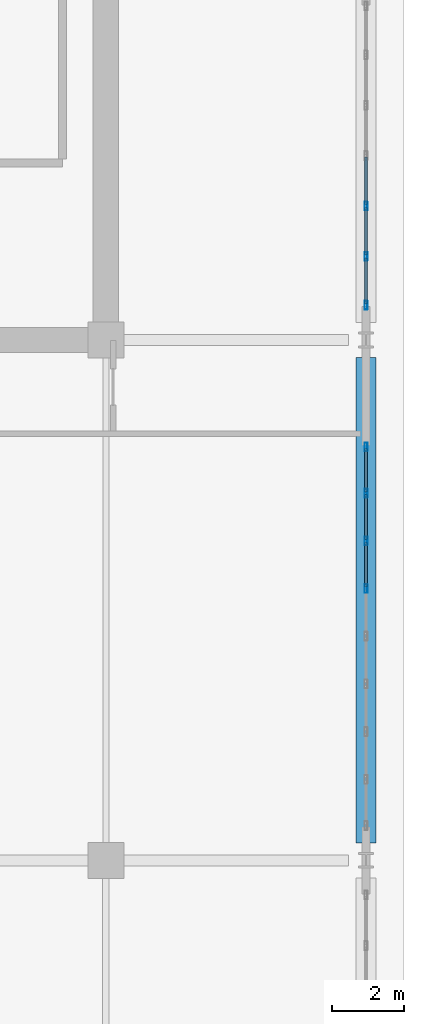
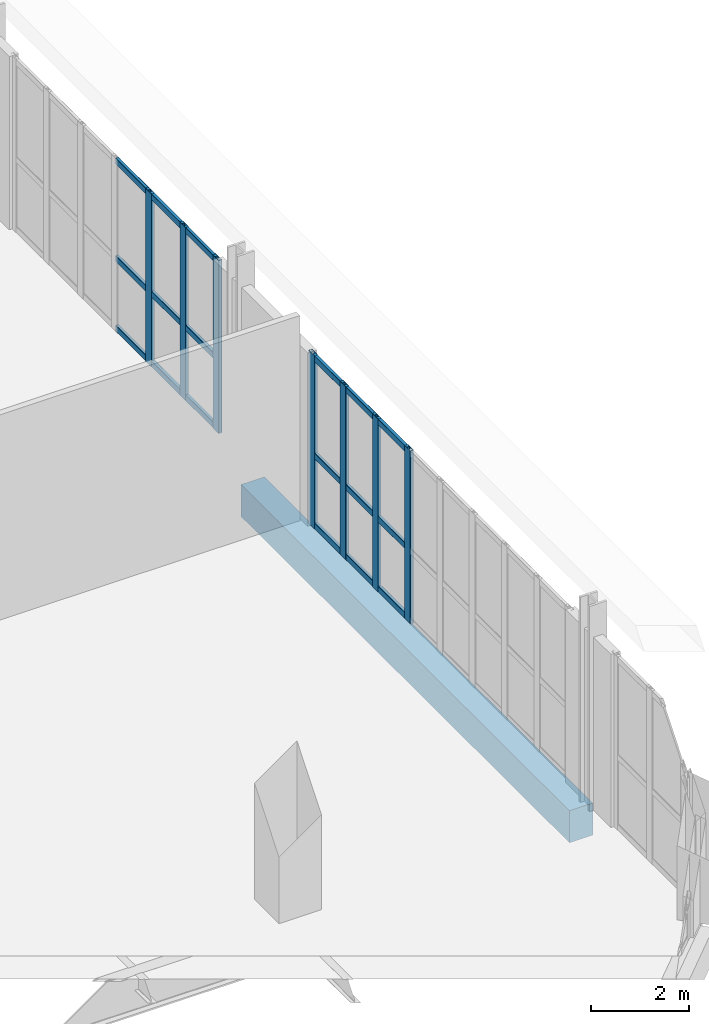
# One storey, part 15 of 26: 25 members, 1 beam, 2 elements without a shape of their own.
"""IFC4 building model written with IfcOpenShell, lengths in metres."""

import ifcopenshell
import ifcopenshell.guid

model = None  # the IFC model being written
_history = None  # IfcOwnerHistory: only IFC2X3 demands one
_inside = {}  # id of a spatial element -> (the spatial element, [elements in it])
_under = {}  # id of a project, library or spatial element -> (it, [spatial elements below it])
_declared = {}  # id of a project -> (the project, [libraries it declares])
_typed = {}  # id of a type object -> (the type object, [elements of that type])
_made_of = {}  # id of a material, layer set ... -> (it, [elements and type objects made of it])


def new_model(schema):
    """Start an empty IFC model of exactly this schema.

    Asked for "IFC4X3", IfcOpenShell would pick the latest addendum, in which some entities
    have other attributes; the version numbers below select the first issue.
    IFC2X3 requires an IfcOwnerHistory on every rooted entity: one is made here for all.
    """
    global model, _history
    if schema == "IFC4X3":
        model = ifcopenshell.file(schema_version=(4, 3, 0, 0))
    else:
        model = ifcopenshell.file(schema=schema)
    _inside.clear()
    _under.clear()
    _declared.clear()
    _typed.clear()
    _made_of.clear()
    _history = None
    if model.schema == "IFC2X3":
        org = make("IfcOrganization", Name="unknown")
        user = make(
            "IfcPersonAndOrganization",
            ThePerson=make("IfcPerson", FamilyName="unknown"),
            TheOrganization=org,
        )
        app = make(
            "IfcApplication",
            ApplicationDeveloper=org,
            Version="unknown",
            ApplicationFullName="unknown",
            ApplicationIdentifier="unknown",
        )
        _history = make(
            "IfcOwnerHistory",
            OwningUser=user,
            OwningApplication=app,
            ChangeAction="ADDED",
            CreationDate=0,
        )
    return model


def make(cls, **values):
    """One entity of the class cls with the attributes given. An attribute that is None is left unset."""
    return model.create_entity(
        cls, **{name: value for name, value in values.items() if value is not None}
    )


def rooted(cls, **values):
    """An entity with a GlobalId (a new one), such as an element, a storey or a relation."""
    return make(cls, GlobalId=ifcopenshell.guid.new(), OwnerHistory=_history, **values)


def si_unit(unit_type, name, prefix=None):
    """IfcSIUnit, for example si_unit("LENGTHUNIT", "METRE", prefix="MILLI")."""
    return make("IfcSIUnit", UnitType=unit_type, Prefix=prefix, Name=name)


def assignment(units):
    """IfcUnitAssignment: the units of a project."""
    return None if units is None else make("IfcUnitAssignment", Units=units)


def point(xyz):
    """IfcCartesianPoint."""
    return None if xyz is None else make("IfcCartesianPoint", Coordinates=xyz)


def direction(xyz):
    """IfcDirection."""
    return None if xyz is None else make("IfcDirection", DirectionRatios=xyz)


def frame(location, z_axis=None, x_axis=None):
    """IfcAxis2Placement3D, a coordinate frame: its origin and axes. An axis left out is left unset."""
    return make(
        "IfcAxis2Placement3D",
        Location=point(location),
        Axis=direction(z_axis),
        RefDirection=direction(x_axis),
    )


def frame_2d(location, x_axis=None):
    """IfcAxis2Placement2D, a coordinate frame in the plane: its origin and x axis."""
    return make(
        "IfcAxis2Placement2D", Location=point(location), RefDirection=direction(x_axis)
    )


def origin():
    """The frame at (0, 0, 0) with its axes left unset."""
    return frame((0.0, 0.0, 0.0))


def origin_2d():
    """The frame at (0, 0) in the plane with its x axis left unset."""
    return frame_2d((0.0, 0.0))


def place(relative_to, where):
    """IfcLocalPlacement: puts the frame where relative to a parent placement (None: the world)."""
    return make(
        "IfcLocalPlacement", PlacementRelTo=relative_to, RelativePlacement=where
    )


def context(
    kind, dimensions, precision=None, world=None, true_north=None, identifier=None
):
    """IfcGeometricRepresentationContext, for example the 3D "Model" context."""
    return make(
        "IfcGeometricRepresentationContext",
        ContextIdentifier=identifier,
        ContextType=kind,
        CoordinateSpaceDimension=dimensions,
        Precision=precision,
        WorldCoordinateSystem=world,
        TrueNorth=true_north,
    )


def subcontext(parent, identifier, kind, view, scale=None):
    """IfcGeometricRepresentationSubContext, for example "Body" below "Model"."""
    return make(
        "IfcGeometricRepresentationSubContext",
        ContextIdentifier=identifier,
        ContextType=kind,
        ParentContext=parent,
        TargetScale=scale,
        TargetView=view,
    )


def project(units=None, contexts=None):
    """IfcProject with its units and contexts."""
    return rooted(
        "IfcProject",
        Name="project",
        RepresentationContexts=contexts,
        UnitsInContext=assignment(units),
    )


def spatial(cls, under=None, at=None, **own):
    """A site, building, storey or space (cls), placed at a placement, below another one or the project."""
    s = rooted(cls, ObjectPlacement=at, **own)
    if under is not None:
        _under.setdefault(under.id(), (under, []))[1].append(s)
    return s


def profile(cls, at=None, kind="AREA", **sizes):
    """A parametric profile (cls). Its sizes go by their IFC names, for example OverallWidth=200.0."""
    return make(cls, ProfileType=kind, Position=at, **sizes)


def rectangle(**sizes):
    """IfcRectangleProfileDef."""
    return profile("IfcRectangleProfileDef", **sizes)


def hollow_rectangle(**sizes):
    """IfcRectangleHollowProfileDef."""
    return profile("IfcRectangleHollowProfileDef", **sizes)


def extrude(swept, where, along, depth):
    """IfcExtrudedAreaSolid: the profile swept, set in the frame where, extruded along a direction by depth."""
    return make(
        "IfcExtrudedAreaSolid",
        SweptArea=swept,
        Position=where,
        ExtrudedDirection=direction(along),
        Depth=depth,
    )


def shape(context_of_items, identifier, shape_type, items):
    """IfcShapeRepresentation: the items that make up one representation, for example the "Body"."""
    return make(
        "IfcShapeRepresentation",
        ContextOfItems=context_of_items,
        RepresentationIdentifier=identifier,
        RepresentationType=shape_type,
        Items=items,
    )


def material(Name=None, Category=None):
    """IfcMaterial."""
    return make("IfcMaterial", Name=Name, Category=Category)


def layer(
    of_material, thickness, ventilated=None, Name=None, Category=None, Priority=None
):
    """IfcMaterialLayer: one layer of a wall or slab, of a material (None: an air gap)."""
    return make(
        "IfcMaterialLayer",
        Material=of_material,
        LayerThickness=thickness,
        IsVentilated=ventilated,
        Name=Name,
        Category=Category,
        Priority=Priority,
    )


def layer_set(layers, Name=None):
    """IfcMaterialLayerSet."""
    return make("IfcMaterialLayerSet", MaterialLayers=layers, LayerSetName=Name)


def material_profile(
    of_material, cross_section, Name=None, Category=None, Priority=None
):
    """IfcMaterialProfile: a cross section and its material."""
    return make(
        "IfcMaterialProfile",
        Name=Name,
        Material=of_material,
        Profile=cross_section,
        Priority=Priority,
        Category=Category,
    )


def profile_set(profiles, Name=None, composite=None):
    """IfcMaterialProfileSet."""
    return make(
        "IfcMaterialProfileSet",
        Name=Name,
        MaterialProfiles=profiles,
        CompositeProfile=composite,
    )


def made_of(thing, what):
    """Note that an element or type object is made of a material, layer set ...; save() writes the relation."""
    if what is not None:
        _made_of.setdefault(what.id(), (what, []))[1].append(thing)
    return thing


def type_object(cls, material=None, **own):
    """A type object (cls), such as IfcWallType, which elements share."""
    return made_of(rooted(cls, **own), material)


def element(
    cls,
    number,
    at=None,
    inside=None,
    cuts=None,
    type_object=None,
    material=None,
    context=None,
    identifier="Body",
    shape_type=None,
    held_by="IfcProductDefinitionShape",
    body=None,
    shapes=None,
    **own,
):
    """One element of the class cls, such as IfcWall. Its Tag is "e" and its number.

    at: its placement. inside: the storey or other place that contains it. cuts: it is an
    opening in that element (IfcRelVoidsElement). A single representation is given by context,
    identifier, shape_type and body (its items); several are given by shapes. held_by: the class
    of the entity that holds the representations. save() writes the other relations.
    """
    e = rooted(cls, Tag="e%d" % number, ObjectPlacement=at, **own)
    if body is not None:
        shapes = [shape(context, identifier, shape_type, body)]
    if shapes is not None:
        e.Representation = make(held_by, Representations=shapes)
    if inside is not None:
        _inside.setdefault(inside.id(), (inside, []))[1].append(e)
    if cuts is not None:
        rooted(
            "IfcRelVoidsElement", RelatingBuildingElement=cuts, RelatedOpeningElement=e
        )
    if type_object is not None:
        _typed.setdefault(type_object.id(), (type_object, []))[1].append(e)
    return made_of(e, material)


def aggregate(whole, parts):
    """IfcRelAggregates: a whole, such as a stair, and the parts it consists of."""
    return rooted("IfcRelAggregates", RelatingObject=whole, RelatedObjects=parts)


def save(model, path):
    """Write the relations noted so far, then the file.

    IfcRelAggregates (storeys below a building ...), IfcRelContainedInSpatialStructure (elements
    in a storey), IfcRelDefinesByType, IfcRelAssociatesMaterial and IfcRelDeclares: one each for
    every whole, place, type object, material and project.
    """
    for whole, parts in _under.values():
        aggregate(whole, parts)
    for where, things in _inside.values():
        rooted(
            "IfcRelContainedInSpatialStructure",
            RelatedElements=things,
            RelatingStructure=where,
        )
    for kind, things in _typed.values():
        rooted("IfcRelDefinesByType", RelatedObjects=things, RelatingType=kind)
    for what, things in _made_of.values():
        rooted("IfcRelAssociatesMaterial", RelatedObjects=things, RelatingMaterial=what)
    for by, libraries in _declared.values():
        rooted("IfcRelDeclares", RelatingContext=by, RelatedDefinitions=libraries)
    model.write(path)


model = new_model("IFC4")

# Units and contexts
model_context = context("Model", 3, precision=1e-05, world=origin(), true_north=direction((0.0, 1.0)))
body_context = subcontext(model_context, "Body", "Model", "MODEL_VIEW")
ifc_project = project(units=[si_unit("LENGTHUNIT", "METRE"), si_unit("AREAUNIT", "SQUARE_METRE"), si_unit("VOLUMEUNIT", "CUBIC_METRE"), si_unit("PLANEANGLEUNIT", "RADIAN"), si_unit("MASSUNIT", "GRAM", prefix="KILO")], contexts=[model_context])

# Site, building, storey
site_placement = place(None, origin())
site = spatial("IfcSite", under=ifc_project, at=site_placement, CompositionType="ELEMENT")
building_placement = place(site_placement, origin())
building = spatial("IfcBuilding", under=site, at=building_placement, Name="Kaelvorn Grand Hotel", CompositionType="ELEMENT")
storey_placement = place(building_placement, frame((0.0, 0.0, 294.699951171875)))
storey = spatial("IfcBuildingStorey", under=building, at=storey_placement, Name="L72", CompositionType="ELEMENT", Elevation=294.699951171875)

# Beam
ifc_material_1 = material(Name="Concrete C50/60", Category="concrete")
ifc_material_profile_1 = material_profile(ifc_material_1, rectangle(XDim=0.550048828125, YDim=0.800048828125, at=origin_2d()), Name="RC SPANDREL 550x800")
ifc_profile_set_1 = profile_set([ifc_material_profile_1], Name="Concrete C50/60")
beam_type = type_object("IfcBeamType", Name="BM-SP-550x800-C50", PredefinedType="SPANDREL", material=ifc_profile_set_1)
beam_placement = place(storey_placement, frame((75.0, 15.485107421875, -0.780029296875), z_axis=(0.0, 1.0, 0.0), x_axis=(-1.0, 0.0, 0.0)))
element("IfcBeam", 1, at=beam_placement, inside=storey, type_object=beam_type, Name="L72 East Perimeter Spandrel 02", PredefinedType="SPANDREL", context=body_context, shape_type="SweptSolid", body=[
    extrude(rectangle(XDim=0.550048828125, YDim=0.800048828125, at=origin_2d()), origin(), (0.0, 0.0, 1.0), 13.429931640625),
])

# Curtain wall, members
ifc_material_2 = material(Name="Anodised Aluminium", Category="aluminium")
ifc_layer = layer(ifc_material_2, 0.239990234375)
ifc_layer_set = layer_set([ifc_layer], Name="Anodised Aluminium")
curtain_wall_type = type_object("IfcCurtainWallType", Name="CW-SYS5", PredefinedType="NOTDEFINED", material=ifc_layer_set)
curtain_wall_1_placement = place(storey_placement, origin())
curtain_wall_1 = element("IfcCurtainWall", 2, at=curtain_wall_1_placement, inside=storey, type_object=curtain_wall_type, Name="L72 Unitised Curtain Wall CW5 (CW-L72-E-02)", PredefinedType="NOTDEFINED")
ifc_material_profile_2 = material_profile(ifc_material_2, hollow_rectangle(XDim=0.080078125, YDim=0.239990234375, WallThickness=0.0048828125, InnerFilletRadius=0.0048828125, OuterFilletRadius=0.010009765625, at=origin_2d()), Name="ALU MULL 80x240")
ifc_profile_set_2 = profile_set([ifc_material_profile_2], Name="Anodised Aluminium")
member_type_1 = type_object("IfcMemberType", Name="CW-SYS5-MULL", PredefinedType="MULLION", material=ifc_profile_set_2)
member_1_placement = place(storey_placement, frame((75.0, 22.52001953125, 0.0), z_axis=(0.0, 0.0, 1.0), x_axis=(-1.0, 0.0, 0.0)))
member_1 = element("IfcMember", 3, at=member_1_placement, type_object=member_type_1, Name="CW5 mullion 6", PredefinedType="MULLION", context=body_context, shape_type="SweptSolid", body=[
    extrude(hollow_rectangle(XDim=0.080078125, YDim=0.239990234375, WallThickness=0.0048828125, InnerFilletRadius=0.0048828125, OuterFilletRadius=0.010009765625, at=origin_2d()), origin(), (0.0, 0.0, 1.0), 4.320068359375),
])
member_2_placement = place(storey_placement, frame((75.0, 23.840087890625, 0.0), z_axis=(0.0, 0.0, 1.0), x_axis=(-1.0, 0.0, 0.0)))
member_2 = element("IfcMember", 4, at=member_2_placement, type_object=member_type_1, Name="CW5 mullion 7", PredefinedType="MULLION", context=body_context, shape_type="SweptSolid", body=[
    extrude(hollow_rectangle(XDim=0.080078125, YDim=0.239990234375, WallThickness=0.0048828125, InnerFilletRadius=0.0048828125, OuterFilletRadius=0.010009765625, at=origin_2d()), origin(), (0.0, 0.0, 1.0), 4.320068359375),
])
member_3_placement = place(storey_placement, frame((75.0, 25.159912109375, 0.0), z_axis=(0.0, 0.0, 1.0), x_axis=(-1.0, 0.0, 0.0)))
member_3 = element("IfcMember", 5, at=member_3_placement, type_object=member_type_1, Name="CW5 mullion 8", PredefinedType="MULLION", context=body_context, shape_type="SweptSolid", body=[
    extrude(hollow_rectangle(XDim=0.080078125, YDim=0.239990234375, WallThickness=0.0048828125, InnerFilletRadius=0.0048828125, OuterFilletRadius=0.010009765625, at=origin_2d()), origin(), (0.0, 0.0, 1.0), 4.320068359375),
])
member_4_placement = place(storey_placement, frame((75.0, 26.43994140625, 0.0), z_axis=(0.0, 0.0, 1.0), x_axis=(-1.0, 0.0, 0.0)))
member_4 = element("IfcMember", 6, at=member_4_placement, type_object=member_type_1, Name="CW5 mullion 9", PredefinedType="MULLION", context=body_context, shape_type="SweptSolid", body=[
    extrude(hollow_rectangle(XDim=0.080078125, YDim=0.239990234375, WallThickness=0.0048828125, InnerFilletRadius=0.0048828125, OuterFilletRadius=0.010009765625, at=origin_2d()), origin(), (0.0, 0.0, 1.0), 4.320068359375),
])

curtain_wall_2_placement = place(storey_placement, origin())
curtain_wall_2 = element("IfcCurtainWall", 7, at=curtain_wall_2_placement, inside=storey, type_object=curtain_wall_type, Name="L72 Unitised Curtain Wall CW5 (CW-L72-E-03)", PredefinedType="NOTDEFINED")
member_5_placement = place(storey_placement, frame((75.0, 30.360107421875, 0.0), z_axis=(0.0, 0.0, 1.0), x_axis=(-1.0, 0.0, 0.0)))
member_5 = element("IfcMember", 8, at=member_5_placement, type_object=member_type_1, Name="CW5 mullion 1", PredefinedType="MULLION", context=body_context, shape_type="SweptSolid", body=[
    extrude(hollow_rectangle(XDim=0.080078125, YDim=0.239990234375, WallThickness=0.0048828125, InnerFilletRadius=0.0048828125, OuterFilletRadius=0.010009765625, at=origin_2d()), origin(), (0.0, 0.0, 1.0), 4.320068359375),
])
member_6_placement = place(storey_placement, frame((75.0, 31.71337890625, 0.0), z_axis=(0.0, 0.0, 1.0), x_axis=(-1.0, 0.0, 0.0)))
member_6 = element("IfcMember", 9, at=member_6_placement, type_object=member_type_1, Name="CW5 mullion 2", PredefinedType="MULLION", context=body_context, shape_type="SweptSolid", body=[
    extrude(hollow_rectangle(XDim=0.080078125, YDim=0.239990234375, WallThickness=0.0048828125, InnerFilletRadius=0.0048828125, OuterFilletRadius=0.010009765625, at=origin_2d()), origin(), (0.0, 0.0, 1.0), 4.320068359375),
])
member_7_placement = place(storey_placement, frame((75.0, 33.106689453125, 0.0), z_axis=(0.0, 0.0, 1.0), x_axis=(-1.0, 0.0, 0.0)))
member_7 = element("IfcMember", 10, at=member_7_placement, type_object=member_type_1, Name="CW5 mullion 3", PredefinedType="MULLION", context=body_context, shape_type="SweptSolid", body=[
    extrude(hollow_rectangle(XDim=0.080078125, YDim=0.239990234375, WallThickness=0.0048828125, InnerFilletRadius=0.0048828125, OuterFilletRadius=0.010009765625, at=origin_2d()), origin(), (0.0, 0.0, 1.0), 4.320068359375),
])

# Member
ifc_material_profile_3 = material_profile(ifc_material_2, hollow_rectangle(XDim=0.074951171875, YDim=0.14990234375, WallThickness=0.00390625, InnerFilletRadius=0.00390625, OuterFilletRadius=0.008056640625, at=origin_2d()), Name="ALU TRAN 75x150")
ifc_profile_set_3 = profile_set([ifc_material_profile_3], Name="Anodised Aluminium")
member_type_2 = type_object("IfcMemberType", Name="CW-SYS5-TRAN", PredefinedType="NOTDEFINED", material=ifc_profile_set_3)
member_8_placement = place(storey_placement, frame((75.0, 22.56005859375, 0.074951171875), z_axis=(0.0, 1.0, 0.0), x_axis=(-1.0, 0.0, 0.0)))
member_8 = element("IfcMember", 11, at=member_8_placement, type_object=member_type_2, Name="CW5 transom 6.1", ObjectType="TRANSOM", PredefinedType="USERDEFINED", context=body_context, shape_type="SweptSolid", body=[
    extrude(hollow_rectangle(XDim=0.074951171875, YDim=0.14990234375, WallThickness=0.00390625, InnerFilletRadius=0.00390625, OuterFilletRadius=0.008056640625, at=origin_2d()), origin(), (0.0, 0.0, 1.0), 1.239990234375),
])

member_9_placement = place(storey_placement, frame((75.0, 22.56005859375, 1.814453125), z_axis=(0.0, 1.0, 0.0), x_axis=(-1.0, 0.0, 0.0)))
member_9 = element("IfcMember", 12, at=member_9_placement, type_object=member_type_2, Name="CW5 transom 6.2", ObjectType="TRANSOM", PredefinedType="USERDEFINED", context=body_context, shape_type="SweptSolid", body=[
    extrude(hollow_rectangle(XDim=0.074951171875, YDim=0.14990234375, WallThickness=0.00390625, InnerFilletRadius=0.00390625, OuterFilletRadius=0.008056640625, at=origin_2d()), origin(), (0.0, 0.0, 1.0), 1.239990234375),
])

member_10_placement = place(storey_placement, frame((75.0, 22.56005859375, 4.2451171875), z_axis=(0.0, 1.0, 0.0), x_axis=(-1.0, 0.0, 0.0)))
member_10 = element("IfcMember", 13, at=member_10_placement, type_object=member_type_2, Name="CW5 transom 6.3", ObjectType="TRANSOM", PredefinedType="USERDEFINED", context=body_context, shape_type="SweptSolid", body=[
    extrude(hollow_rectangle(XDim=0.074951171875, YDim=0.14990234375, WallThickness=0.00390625, InnerFilletRadius=0.00390625, OuterFilletRadius=0.008056640625, at=origin_2d()), origin(), (0.0, 0.0, 1.0), 1.239990234375),
])

member_11_placement = place(storey_placement, frame((75.0, 23.8798828125, 0.074951171875), z_axis=(0.0, 1.0, 0.0), x_axis=(-1.0, 0.0, 0.0)))
member_11 = element("IfcMember", 14, at=member_11_placement, type_object=member_type_2, Name="CW5 transom 7.1", ObjectType="TRANSOM", PredefinedType="USERDEFINED", context=body_context, shape_type="SweptSolid", body=[
    extrude(hollow_rectangle(XDim=0.074951171875, YDim=0.14990234375, WallThickness=0.00390625, InnerFilletRadius=0.00390625, OuterFilletRadius=0.008056640625, at=origin_2d()), origin(), (0.0, 0.0, 1.0), 1.240234375),
])

member_12_placement = place(storey_placement, frame((75.0, 23.8798828125, 1.814453125), z_axis=(0.0, 1.0, 0.0), x_axis=(-1.0, 0.0, 0.0)))
member_12 = element("IfcMember", 15, at=member_12_placement, type_object=member_type_2, Name="CW5 transom 7.2", ObjectType="TRANSOM", PredefinedType="USERDEFINED", context=body_context, shape_type="SweptSolid", body=[
    extrude(hollow_rectangle(XDim=0.074951171875, YDim=0.14990234375, WallThickness=0.00390625, InnerFilletRadius=0.00390625, OuterFilletRadius=0.008056640625, at=origin_2d()), origin(), (0.0, 0.0, 1.0), 1.240234375),
])

member_13_placement = place(storey_placement, frame((75.0, 23.8798828125, 4.2451171875), z_axis=(0.0, 1.0, 0.0), x_axis=(-1.0, 0.0, 0.0)))
member_13 = element("IfcMember", 16, at=member_13_placement, type_object=member_type_2, Name="CW5 transom 7.3", ObjectType="TRANSOM", PredefinedType="USERDEFINED", context=body_context, shape_type="SweptSolid", body=[
    extrude(hollow_rectangle(XDim=0.074951171875, YDim=0.14990234375, WallThickness=0.00390625, InnerFilletRadius=0.00390625, OuterFilletRadius=0.008056640625, at=origin_2d()), origin(), (0.0, 0.0, 1.0), 1.240234375),
])

member_14_placement = place(storey_placement, frame((75.0, 25.199951171875, 0.074951171875), z_axis=(0.0, 1.0, 0.0), x_axis=(-1.0, 0.0, 0.0)))
member_14 = element("IfcMember", 17, at=member_14_placement, type_object=member_type_2, Name="CW5 transom 8.1", ObjectType="TRANSOM", PredefinedType="USERDEFINED", context=body_context, shape_type="SweptSolid", body=[
    extrude(hollow_rectangle(XDim=0.074951171875, YDim=0.14990234375, WallThickness=0.00390625, InnerFilletRadius=0.00390625, OuterFilletRadius=0.008056640625, at=origin_2d()), origin(), (0.0, 0.0, 1.0), 1.199951171875),
])

member_15_placement = place(storey_placement, frame((75.0, 25.199951171875, 1.814453125), z_axis=(0.0, 1.0, 0.0), x_axis=(-1.0, 0.0, 0.0)))
member_15 = element("IfcMember", 18, at=member_15_placement, type_object=member_type_2, Name="CW5 transom 8.2", ObjectType="TRANSOM", PredefinedType="USERDEFINED", context=body_context, shape_type="SweptSolid", body=[
    extrude(hollow_rectangle(XDim=0.074951171875, YDim=0.14990234375, WallThickness=0.00390625, InnerFilletRadius=0.00390625, OuterFilletRadius=0.008056640625, at=origin_2d()), origin(), (0.0, 0.0, 1.0), 1.199951171875),
])

member_16_placement = place(storey_placement, frame((75.0, 25.199951171875, 4.2451171875), z_axis=(0.0, 1.0, 0.0), x_axis=(-1.0, 0.0, 0.0)))
member_16 = element("IfcMember", 19, at=member_16_placement, type_object=member_type_2, Name="CW5 transom 8.3", ObjectType="TRANSOM", PredefinedType="USERDEFINED", context=body_context, shape_type="SweptSolid", body=[
    extrude(hollow_rectangle(XDim=0.074951171875, YDim=0.14990234375, WallThickness=0.00390625, InnerFilletRadius=0.00390625, OuterFilletRadius=0.008056640625, at=origin_2d()), origin(), (0.0, 0.0, 1.0), 1.199951171875),
])

aggregate(curtain_wall_1, [member_1, member_2, member_3, member_4, member_8, member_9, member_10, member_11, member_12, member_13, member_14, member_15, member_16])

member_17_placement = place(storey_placement, frame((75.0, 30.39990234375, 0.074951171875), z_axis=(0.0, 1.0, 0.0), x_axis=(-1.0, 0.0, 0.0)))
member_17 = element("IfcMember", 20, at=member_17_placement, type_object=member_type_2, Name="CW5 transom 1.1", ObjectType="TRANSOM", PredefinedType="USERDEFINED", context=body_context, shape_type="SweptSolid", body=[
    extrude(hollow_rectangle(XDim=0.074951171875, YDim=0.14990234375, WallThickness=0.00390625, InnerFilletRadius=0.00390625, OuterFilletRadius=0.008056640625, at=origin_2d()), origin(), (0.0, 0.0, 1.0), 1.2734375),
])

member_18_placement = place(storey_placement, frame((75.0, 30.39990234375, 1.814453125), z_axis=(0.0, 1.0, 0.0), x_axis=(-1.0, 0.0, 0.0)))
member_18 = element("IfcMember", 21, at=member_18_placement, type_object=member_type_2, Name="CW5 transom 1.2", ObjectType="TRANSOM", PredefinedType="USERDEFINED", context=body_context, shape_type="SweptSolid", body=[
    extrude(hollow_rectangle(XDim=0.074951171875, YDim=0.14990234375, WallThickness=0.00390625, InnerFilletRadius=0.00390625, OuterFilletRadius=0.008056640625, at=origin_2d()), origin(), (0.0, 0.0, 1.0), 1.2734375),
])

member_19_placement = place(storey_placement, frame((75.0, 30.39990234375, 4.2451171875), z_axis=(0.0, 1.0, 0.0), x_axis=(-1.0, 0.0, 0.0)))
member_19 = element("IfcMember", 22, at=member_19_placement, type_object=member_type_2, Name="CW5 transom 1.3", ObjectType="TRANSOM", PredefinedType="USERDEFINED", context=body_context, shape_type="SweptSolid", body=[
    extrude(hollow_rectangle(XDim=0.074951171875, YDim=0.14990234375, WallThickness=0.00390625, InnerFilletRadius=0.00390625, OuterFilletRadius=0.008056640625, at=origin_2d()), origin(), (0.0, 0.0, 1.0), 1.2734375),
])

member_20_placement = place(storey_placement, frame((75.0, 31.75341796875, 0.074951171875), z_axis=(0.0, 1.0, 0.0), x_axis=(-1.0, 0.0, 0.0)))
member_20 = element("IfcMember", 23, at=member_20_placement, type_object=member_type_2, Name="CW5 transom 2.1", ObjectType="TRANSOM", PredefinedType="USERDEFINED", context=body_context, shape_type="SweptSolid", body=[
    extrude(hollow_rectangle(XDim=0.074951171875, YDim=0.14990234375, WallThickness=0.00390625, InnerFilletRadius=0.00390625, OuterFilletRadius=0.008056640625, at=origin_2d()), origin(), (0.0, 0.0, 1.0), 1.313232421875),
])

member_21_placement = place(storey_placement, frame((75.0, 31.75341796875, 1.814453125), z_axis=(0.0, 1.0, 0.0), x_axis=(-1.0, 0.0, 0.0)))
member_21 = element("IfcMember", 24, at=member_21_placement, type_object=member_type_2, Name="CW5 transom 2.2", ObjectType="TRANSOM", PredefinedType="USERDEFINED", context=body_context, shape_type="SweptSolid", body=[
    extrude(hollow_rectangle(XDim=0.074951171875, YDim=0.14990234375, WallThickness=0.00390625, InnerFilletRadius=0.00390625, OuterFilletRadius=0.008056640625, at=origin_2d()), origin(), (0.0, 0.0, 1.0), 1.313232421875),
])

member_22_placement = place(storey_placement, frame((75.0, 31.75341796875, 4.2451171875), z_axis=(0.0, 1.0, 0.0), x_axis=(-1.0, 0.0, 0.0)))
member_22 = element("IfcMember", 25, at=member_22_placement, type_object=member_type_2, Name="CW5 transom 2.3", ObjectType="TRANSOM", PredefinedType="USERDEFINED", context=body_context, shape_type="SweptSolid", body=[
    extrude(hollow_rectangle(XDim=0.074951171875, YDim=0.14990234375, WallThickness=0.00390625, InnerFilletRadius=0.00390625, OuterFilletRadius=0.008056640625, at=origin_2d()), origin(), (0.0, 0.0, 1.0), 1.313232421875),
])

member_23_placement = place(storey_placement, frame((75.0, 33.146728515625, 0.074951171875), z_axis=(0.0, 1.0, 0.0), x_axis=(-1.0, 0.0, 0.0)))
member_23 = element("IfcMember", 26, at=member_23_placement, type_object=member_type_2, Name="CW5 transom 3.1", ObjectType="TRANSOM", PredefinedType="USERDEFINED", context=body_context, shape_type="SweptSolid", body=[
    extrude(hollow_rectangle(XDim=0.074951171875, YDim=0.14990234375, WallThickness=0.00390625, InnerFilletRadius=0.00390625, OuterFilletRadius=0.008056640625, at=origin_2d()), origin(), (0.0, 0.0, 1.0), 1.313232421875),
])

member_24_placement = place(storey_placement, frame((75.0, 33.146728515625, 1.814453125), z_axis=(0.0, 1.0, 0.0), x_axis=(-1.0, 0.0, 0.0)))
member_24 = element("IfcMember", 27, at=member_24_placement, type_object=member_type_2, Name="CW5 transom 3.2", ObjectType="TRANSOM", PredefinedType="USERDEFINED", context=body_context, shape_type="SweptSolid", body=[
    extrude(hollow_rectangle(XDim=0.074951171875, YDim=0.14990234375, WallThickness=0.00390625, InnerFilletRadius=0.00390625, OuterFilletRadius=0.008056640625, at=origin_2d()), origin(), (0.0, 0.0, 1.0), 1.313232421875),
])

member_25_placement = place(storey_placement, frame((75.0, 33.146728515625, 4.2451171875), z_axis=(0.0, 1.0, 0.0), x_axis=(-1.0, 0.0, 0.0)))
member_25 = element("IfcMember", 28, at=member_25_placement, type_object=member_type_2, Name="CW5 transom 3.3", ObjectType="TRANSOM", PredefinedType="USERDEFINED", context=body_context, shape_type="SweptSolid", body=[
    extrude(hollow_rectangle(XDim=0.074951171875, YDim=0.14990234375, WallThickness=0.00390625, InnerFilletRadius=0.00390625, OuterFilletRadius=0.008056640625, at=origin_2d()), origin(), (0.0, 0.0, 1.0), 1.313232421875),
])

aggregate(curtain_wall_2, [member_5, member_6, member_7, member_17, member_18, member_19, member_20, member_21, member_22, member_23, member_24, member_25])

save(model, "model.ifc")
